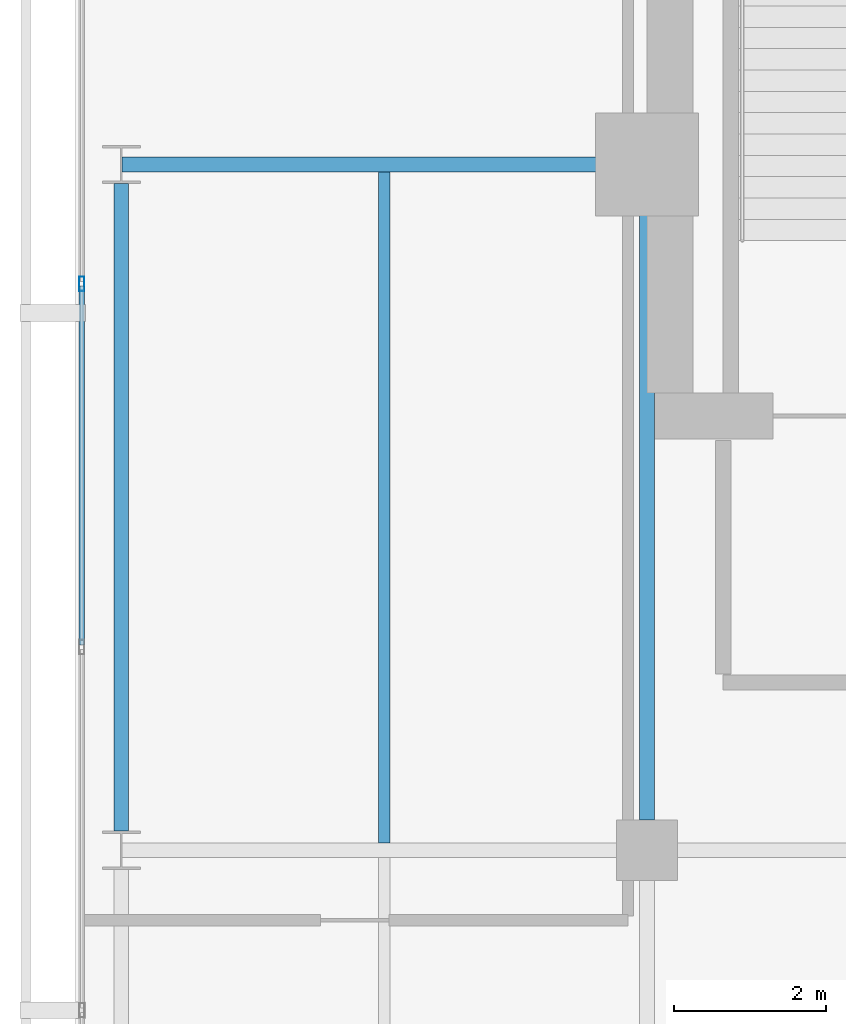
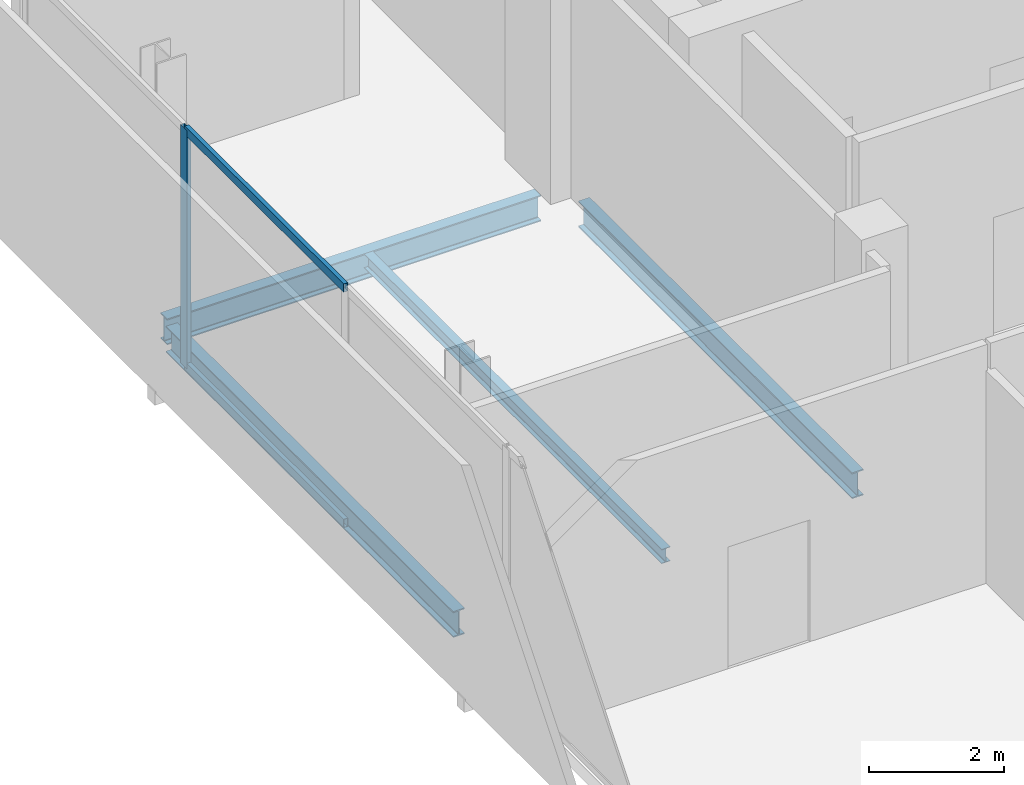
# One storey, part 9 of 23: 4 beams, 3 members, 1 element without a shape of its own.
"""IFC4 building model written with IfcOpenShell, lengths in metres."""

from ifc_helpers import new_model, si_unit, direction, frame, origin, origin_2d, place, context, subcontext, project, spatial, hollow_rectangle, i_section, extrude, material, layer, layer_set, material_profile, profile_set, type_object, element, aggregate, save


model = new_model("IFC4")

# Units and contexts
model_context = context("Model", 3, precision=1e-05, world=origin(), true_north=direction((0.0, 1.0)))
body_context = subcontext(model_context, "Body", "Model", "MODEL_VIEW")
ifc_project = project(units=[si_unit("LENGTHUNIT", "METRE"), si_unit("AREAUNIT", "SQUARE_METRE"), si_unit("VOLUMEUNIT", "CUBIC_METRE"), si_unit("PLANEANGLEUNIT", "RADIAN"), si_unit("MASSUNIT", "GRAM", prefix="KILO")], contexts=[model_context])

# Site, building, storey
site_placement = place(None, origin())
site = spatial("IfcSite", under=ifc_project, at=site_placement, CompositionType="ELEMENT")
building_placement = place(site_placement, origin())
building = spatial("IfcBuilding", under=site, at=building_placement, Name="Maruvema Waterfront Hotel and Observation Tower", CompositionType="ELEMENT")
storey_placement = place(building_placement, frame((0.0, 0.0, 345.10009765625)))
storey = spatial("IfcBuildingStorey", under=building, at=storey_placement, Name="L85", CompositionType="ELEMENT", Elevation=345.10009765625)

# Curtain wall, members
ifc_material_1 = material(Name="Anodised bronze aluminium and solar-control low-E IGU", Category="aluminium")
ifc_layer = layer(ifc_material_1, 0.159912109375, Name="Observation Crown Structural Glazed Curtain Wall System CW-06")
ifc_layer_set = layer_set([ifc_layer], Name="Anodised bronze aluminium and solar-control low-E IGU")
curtain_wall_type = type_object("IfcCurtainWallType", Name="Observation Crown Structural Glazed Curtain Wall System CW-06", PredefinedType="USERDEFINED", material=ifc_layer_set)
curtain_wall_placement = place(storey_placement, origin())
curtain_wall = element("IfcCurtainWall", 1, at=curtain_wall_placement, inside=storey, type_object=curtain_wall_type, Name="L85 Curtain Wall CW-L85-W", ObjectType="UNITISED CURTAIN WALL", PredefinedType="USERDEFINED")
ifc_material_2 = material(Name="Anodised architectural bronze aluminium", Category="aluminium")
ifc_material_profile_1 = material_profile(ifc_material_2, hollow_rectangle(XDim=0.070068359375, YDim=0.14990234375, WallThickness=0.00390625, at=origin_2d()), Name="ALU-T70x150")
ifc_profile_set_1 = profile_set([ifc_material_profile_1], Name="Anodised architectural bronze aluminium")
member_type_1 = type_object("IfcMemberType", Name="Curtain Wall Horizontal Transom ALU-T70x150", PredefinedType="USERDEFINED", material=ifc_profile_set_1)
member_1_placement = place(storey_placement, frame((17.780029296875, 43.4033203125, 0.02978515625), z_axis=(0.0, -1.0, 0.0), x_axis=(1.0, 0.0, 0.0)))
member_1 = element("IfcMember", 2, at=member_1_placement, type_object=member_type_1, Name="CW-06 transom 2.1", ObjectType="TRANSOM", PredefinedType="USERDEFINED", context=body_context, shape_type="SweptSolid", body=[
    extrude(hollow_rectangle(XDim=0.070068359375, YDim=0.14990234375, WallThickness=0.00390625, at=origin_2d()), origin(), (0.0, 0.0, 1.0), 4.70654296875),
])
member_2_placement = place(storey_placement, frame((17.780029296875, 43.4033203125, 4.27978515625), z_axis=(0.0, -1.0, 0.0), x_axis=(1.0, 0.0, 0.0)))
member_2 = element("IfcMember", 3, at=member_2_placement, type_object=member_type_1, Name="CW-06 transom 2.2", ObjectType="TRANSOM", PredefinedType="USERDEFINED", context=body_context, shape_type="SweptSolid", body=[
    extrude(hollow_rectangle(XDim=0.070068359375, YDim=0.14990234375, WallThickness=0.00390625, at=origin_2d()), origin(), (0.0, 0.0, 1.0), 4.70654296875),
])
ifc_material_3 = material(Name="Anodised architectural bronze aluminium", Category="aluminium")
ifc_material_profile_2 = material_profile(ifc_material_3, hollow_rectangle(XDim=0.070068359375, YDim=0.18994140625, WallThickness=0.00390625, at=origin_2d()), Name="ALU-M70x190")
ifc_profile_set_2 = profile_set([ifc_material_profile_2], Name="Anodised architectural bronze aluminium")
member_type_2 = type_object("IfcMemberType", Name="Podium Storefront Heavy Mullion ALU-M70x190", PredefinedType="MULLION", material=ifc_profile_set_2)
member_3_placement = place(storey_placement, frame((17.780029296875, 43.433349609375, 0.0), z_axis=(0.0, 0.0, 1.0), x_axis=(1.0, 0.0, 0.0)))
member_3 = element("IfcMember", 4, at=member_3_placement, type_object=member_type_2, Name="CW-06 mullion 2", PredefinedType="MULLION", context=body_context, shape_type="SweptSolid", body=[
    extrude(hollow_rectangle(XDim=0.070068359375, YDim=0.18994140625, WallThickness=0.00390625, at=origin_2d()), origin(), (0.0, 0.0, 1.0), 4.309814453125),
])
aggregate(curtain_wall, [member_3, member_1, member_2])

# Beams
ifc_material_4 = material(Name="Steel ASTM A572 Grade 50", Category="steel")
ifc_material_profile_3 = material_profile(ifc_material_4, i_section(OverallWidth=0.194091796875, OverallDepth=0.468994140625, WebThickness=0.0126953125, FlangeThickness=0.0205078125, FilletRadius=0.014892578125, at=origin_2d()), Name="W460x106.0")
ifc_profile_set_3 = profile_set([ifc_material_profile_3], Name="Steel ASTM A572 Grade 50")
beam_type_1 = type_object("IfcBeamType", Name="Primary Floor Girder W460x106.0", PredefinedType="BEAM", material=ifc_profile_set_3)
beam_1_placement = place(storey_placement, frame((18.31103515625, 45.0, -0.474609375), z_axis=(1.0, 0.0, 0.0), x_axis=(0.0, 1.0, 0.0)))
element("IfcBeam", 5, at=beam_1_placement, inside=storey, type_object=beam_type_1, Name="L85 Floor Girder EW-15", PredefinedType="BEAM", context=body_context, shape_type="SweptSolid", body=[
    extrude(i_section(OverallWidth=0.194091796875, OverallDepth=0.468994140625, WebThickness=0.0126953125, FlangeThickness=0.0205078125, FilletRadius=0.014892578125, at=origin_2d()), origin(), (0.0, 0.0, 1.0), 6.388916015625),
])
beam_2_placement = place(storey_placement, frame((18.300048828125, 36.25, -0.474609375), z_axis=(0.0, 1.0, 0.0), x_axis=(-1.0, 0.0, 0.0)))
element("IfcBeam", 6, at=beam_2_placement, inside=storey, type_object=beam_type_1, Name="L85 Floor Girder NS-02", PredefinedType="BEAM", context=body_context, shape_type="SweptSolid", body=[
    extrude(i_section(OverallWidth=0.194091796875, OverallDepth=0.468994140625, WebThickness=0.0126953125, FlangeThickness=0.0205078125, FilletRadius=0.014892578125, at=origin_2d()), origin(), (0.0, 0.0, 1.0), 8.5),
])
beam_3_placement = place(storey_placement, frame((25.199951171875, 36.39990234375, -0.474609375), z_axis=(0.0, 1.0, 0.0), x_axis=(-1.0, 0.0, 0.0)))
element("IfcBeam", 7, at=beam_3_placement, inside=storey, type_object=beam_type_1, Name="L85 Floor Girder NS-06", PredefinedType="BEAM", context=body_context, shape_type="SweptSolid", body=[
    extrude(i_section(OverallWidth=0.194091796875, OverallDepth=0.468994140625, WebThickness=0.0126953125, FlangeThickness=0.0205078125, FilletRadius=0.014892578125, at=origin_2d()), origin(), (0.0, 0.0, 1.0), 8.10009765625),
])
ifc_material_5 = material(Name="Steel ASTM A572 Grade 50", Category="steel")
ifc_material_profile_4 = material_profile(ifc_material_5, i_section(OverallWidth=0.14599609375, OverallDepth=0.258056640625, WebThickness=0.006103515625, FlangeThickness=0.009033203125, FilletRadius=0.012939453125, at=origin_2d()), Name="W250x32.7")
ifc_profile_set_4 = profile_set([ifc_material_profile_4], Name="Steel ASTM A572 Grade 50")
beam_type_2 = type_object("IfcBeamType", Name="Secondary Floor Joist W250x32.7", PredefinedType="JOIST", material=ifc_profile_set_4)
beam_4_placement = place(storey_placement, frame((21.75, 36.096923828125, -0.369140625), z_axis=(0.0, 1.0, 0.0), x_axis=(-1.0, 0.0, 0.0)))
element("IfcBeam", 8, at=beam_4_placement, inside=storey, type_object=beam_type_2, Name="L85 Secondary Floor Joist JS-02", PredefinedType="JOIST", context=body_context, shape_type="SweptSolid", body=[
    extrude(i_section(OverallWidth=0.14599609375, OverallDepth=0.258056640625, WebThickness=0.006103515625, FlangeThickness=0.009033203125, FilletRadius=0.012939453125, at=origin_2d()), origin(), (0.0, 0.0, 1.0), 8.80615234375),
])

save(model, "model.ifc")
